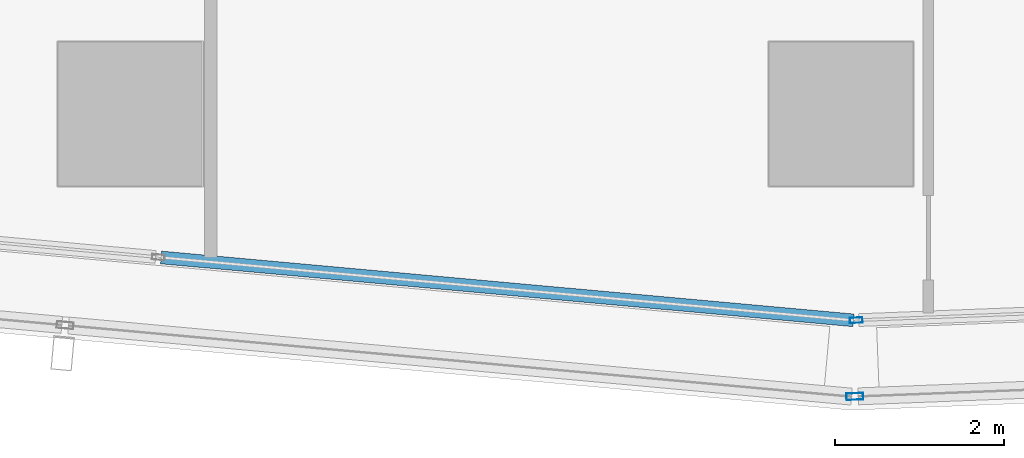
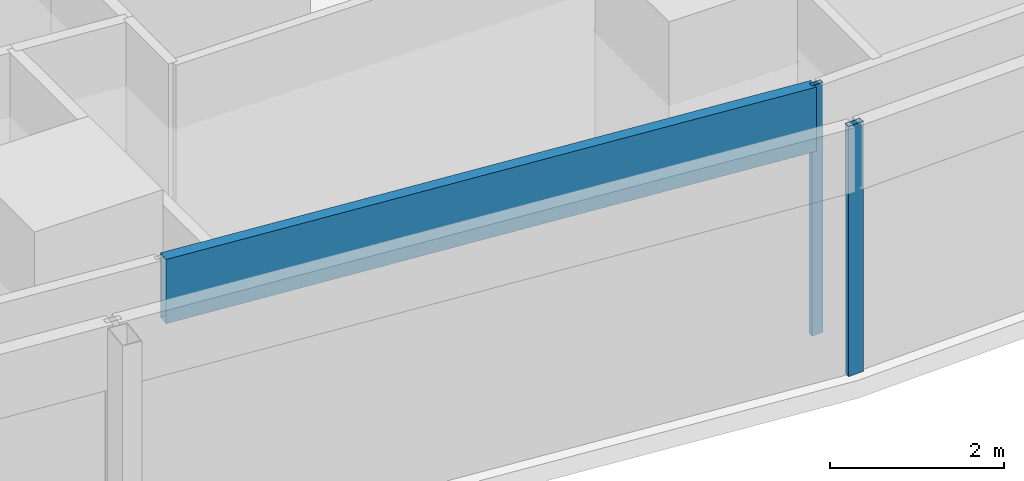
# One storey, part 5 of 40: 3 members, 3 elements without a shape of their own.
"""IFC4 building model written with IfcOpenShell, lengths in metres."""

from ifc_helpers import new_model, si_unit, direction, frame, origin, origin_2d, place, context, subcontext, project, spatial, hollow_rectangle, extrude, material, material_profile, profile_set, type_object, element, aggregate, save


model = new_model("IFC4")

# Units and contexts
model_context = context("Model", 3, precision=1e-05, world=origin(), true_north=direction((0.0, 1.0)))
body_context = subcontext(model_context, "Body", "Model", "MODEL_VIEW")
ifc_project = project(units=[si_unit("LENGTHUNIT", "METRE"), si_unit("AREAUNIT", "SQUARE_METRE"), si_unit("VOLUMEUNIT", "CUBIC_METRE"), si_unit("PLANEANGLEUNIT", "RADIAN"), si_unit("MASSUNIT", "GRAM", prefix="KILO")], contexts=[model_context])

# Site, building, storey
site_placement = place(None, origin())
site = spatial("IfcSite", under=ifc_project, at=site_placement, CompositionType="ELEMENT")
building_placement = place(site_placement, origin())
building = spatial("IfcBuilding", under=site, at=building_placement, Name="Rekha Terrace Tower", CompositionType="ELEMENT")
storey_placement = place(building_placement, frame((0.0, 0.0, 110.300048828125)))
storey = spatial("IfcBuildingStorey", under=building, at=storey_placement, Name="L27", CompositionType="ELEMENT", Elevation=110.300048828125)

# Curtain wall, member
ifc_material_1 = material(Name="Aluminium framing", Category="aluminium")
curtain_wall_type_1 = type_object("IfcCurtainWallType", Name="CW1 double skin inner glazing", PredefinedType="USERDEFINED", material=ifc_material_1)
curtain_wall_1_placement = place(storey_placement, origin())
curtain_wall_1 = element("IfcCurtainWall", 1, at=curtain_wall_1_placement, inside=storey, type_object=curtain_wall_type_1, Name="CW1 double skin inner glazing", ObjectType="DOUBLE SKIN INNER GLAZING", PredefinedType="USERDEFINED")
ifc_material_2 = material(Name="Aluminium mullion section", Category="aluminium")
ifc_material_profile_1 = material_profile(ifc_material_2, hollow_rectangle(XDim=0.06494140625, YDim=0.14990234375, WallThickness=0.00390625, at=origin_2d()), Name="AL RHS 65x150")
ifc_profile_set_1 = profile_set([ifc_material_profile_1], Name="Aluminium mullion section")
member_type_1 = type_object("IfcMemberType", Name="CW1 mullion RHS 65 x 150", PredefinedType="MULLION", material=ifc_profile_set_1)
member_1_placement = place(storey_placement, frame((25.3798828125, 14.363037109375, 0.0), z_axis=(0.0, 0.0, 1.0), x_axis=(-0.038889971345, 0.999243498917, 0.0)))
member_1 = element("IfcMember", 2, at=member_1_placement, type_object=member_type_1, Name="CW1 mullion 1", PredefinedType="MULLION", context=body_context, shape_type="SweptSolid", body=[
    extrude(hollow_rectangle(XDim=0.06494140625, YDim=0.14990234375, WallThickness=0.00390625, at=origin_2d()), origin(), (0.0, 0.0, 1.0), 3.5),
])
aggregate(curtain_wall_1, [member_1])

curtain_wall_2_placement = place(storey_placement, origin())
curtain_wall_2 = element("IfcCurtainWall", 3, at=curtain_wall_2_placement, inside=storey, type_object=curtain_wall_type_1, Name="CW1 double skin inner glazing", ObjectType="DOUBLE SKIN INNER GLAZING", PredefinedType="USERDEFINED")
ifc_material_3 = material(Name="Insulated aluminium spandrel box", Category="aluminium")
ifc_material_profile_2 = material_profile(ifc_material_3, hollow_rectangle(XDim=0.14990234375, YDim=0.89990234375, WallThickness=0.0029296875, at=origin_2d()), Name="AL SPANDREL BOX 150x900")
ifc_profile_set_2 = profile_set([ifc_material_profile_2], Name="Insulated aluminium spandrel box")
member_type_2 = type_object("IfcMemberType", Name="CW1 spandrel transom 150 x 900", PredefinedType="USERDEFINED", material=ifc_profile_set_2)
member_2_placement = place(storey_placement, frame((17.16650390625, 15.104736328125, 3.050048828125), z_axis=(0.995901971759, -0.090439276017, 0.0), x_axis=(0.090439276017, 0.995901971759, 0.0)))
member_2 = element("IfcMember", 4, at=member_2_placement, type_object=member_type_2, Name="CW1 spandrel transom 2", ObjectType="TRANSOM", PredefinedType="USERDEFINED", context=body_context, shape_type="SweptSolid", body=[
    extrude(hollow_rectangle(XDim=0.14990234375, YDim=0.89990234375, WallThickness=0.0029296875, at=origin_2d()), origin(), (0.0, 0.0, 1.0), 8.214599609375),
])
aggregate(curtain_wall_2, [member_2])

curtain_wall_type_2 = type_object("IfcCurtainWallType", Name="CW2 double skin outer glazing", PredefinedType="USERDEFINED", material=ifc_material_1)
curtain_wall_3_placement = place(storey_placement, origin())
curtain_wall_3 = element("IfcCurtainWall", 5, at=curtain_wall_3_placement, inside=storey, type_object=curtain_wall_type_2, Name="CW2 double skin outer glazing", ObjectType="DOUBLE SKIN OUTER GLAZING", PredefinedType="USERDEFINED")
ifc_material_profile_3 = material_profile(ifc_material_2, hollow_rectangle(XDim=0.080078125, YDim=0.199951171875, WallThickness=0.00390625, at=origin_2d()), Name="AL RHS 80x200")
ifc_profile_set_3 = profile_set([ifc_material_profile_3], Name="Aluminium mullion section")
member_type_3 = type_object("IfcMemberType", Name="CW2 mullion RHS 80 x 200", PredefinedType="MULLION", material=ifc_profile_set_3)
member_3_placement = place(storey_placement, frame((25.364013671875, 13.4619140625, 0.0), z_axis=(0.0, 0.0, 1.0), x_axis=(-0.038889971345, 0.999243498917, 0.0)))
member_3 = element("IfcMember", 6, at=member_3_placement, type_object=member_type_3, Name="CW2 mullion 1", PredefinedType="MULLION", context=body_context, shape_type="SweptSolid", body=[
    extrude(hollow_rectangle(XDim=0.080078125, YDim=0.199951171875, WallThickness=0.00390625, at=origin_2d()), origin(), (0.0, 0.0, 1.0), 3.5),
])
aggregate(curtain_wall_3, [member_3])

save(model, "model.ifc")
